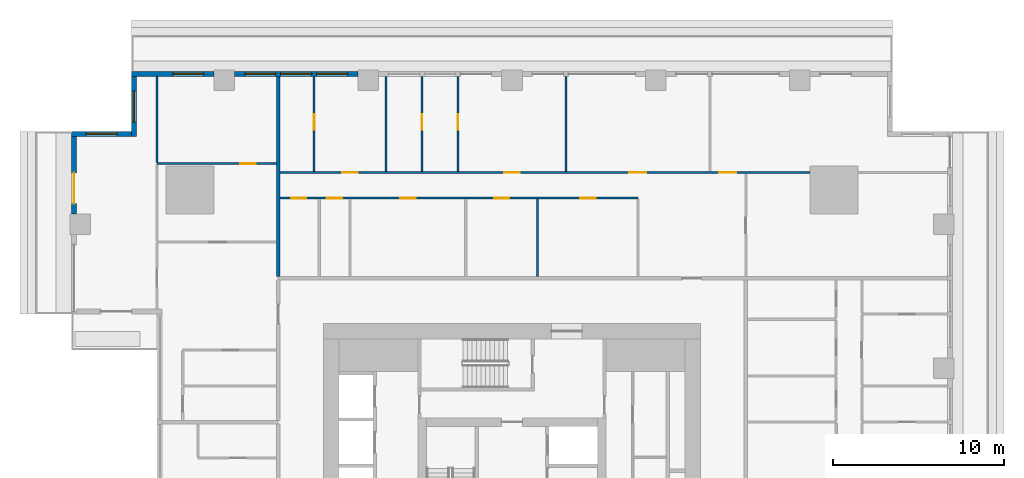
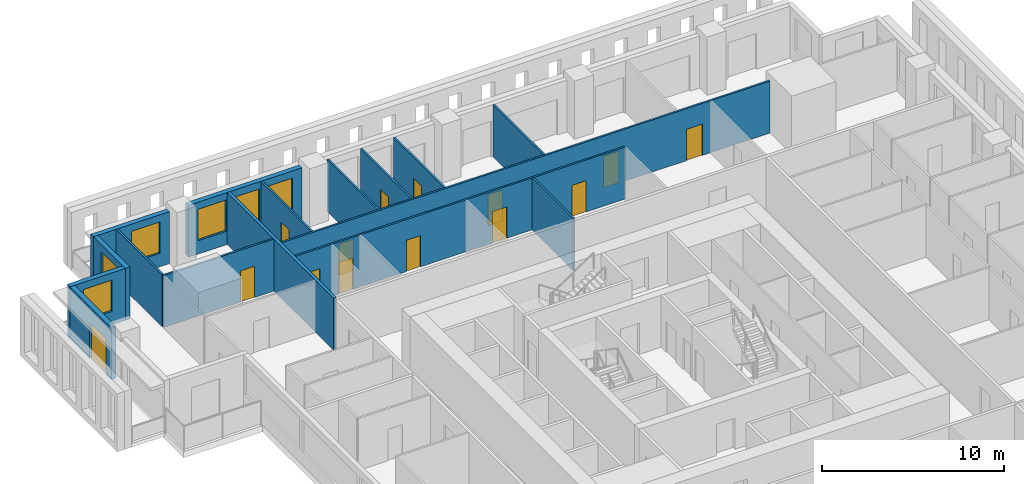
# One storey, part 7 of 14: 16 walls, 14 doors, 6 windows, 20 openings.
"""IFC4 building model written with IfcOpenShell, lengths in metres."""

from ifc_helpers import new_model, si_unit, direction, frame, frame_2d, origin, place, context, subcontext, project, spatial, rectangle, extrude, material, layer, layer_set, type_object, element, fill, save


model = new_model("IFC4")

# Units and contexts
model_context = context("Model", 3, precision=1e-05, world=origin(), true_north=direction((0.0, 1.0)))
body_context = subcontext(model_context, "Body", "Model", "MODEL_VIEW")
ifc_project = project(units=[si_unit("LENGTHUNIT", "METRE"), si_unit("AREAUNIT", "SQUARE_METRE"), si_unit("VOLUMEUNIT", "CUBIC_METRE"), si_unit("PLANEANGLEUNIT", "RADIAN"), si_unit("MASSUNIT", "GRAM", prefix="KILO")], contexts=[model_context])

# Site, building, storey
site_placement = place(None, origin())
site = spatial("IfcSite", under=ifc_project, at=site_placement, CompositionType="ELEMENT")
building_placement = place(site_placement, origin())
building = spatial("IfcBuilding", under=site, at=building_placement, Name="Khepri Terraces", CompositionType="ELEMENT")
storey_placement = place(building_placement, frame((0.0, 0.0, 110.39990234375)))
storey = spatial("IfcBuildingStorey", under=building, at=storey_placement, Name="L26", CompositionType="ELEMENT", Elevation=110.39990234375)

# Wall
ifc_material_1 = material(Name="Fire-rated gypsum plasterboard partition, mineral wool")
ifc_layer_1 = layer(ifc_material_1, 0.199951171875, Name="Fire-rated gypsum plasterboard partition, mineral wool")
ifc_layer_set_1 = layer_set([ifc_layer_1], Name="Fire-rated gypsum plasterboard partition, mineral wool")
wall_type_1 = type_object("IfcWallType", Name="WL-CORR-200", PredefinedType="PARTITIONING", material=ifc_layer_set_1)
wall_1_placement = place(storey_placement, frame((-13.64990234375, 13.75, 0.0), z_axis=(0.0, 0.0, 1.0), x_axis=(0.0, 1.0, 0.0)))
element("IfcWall", 1, at=wall_1_placement, inside=storey, type_object=wall_type_1, Name="Partition P-066 L26", PredefinedType="PARTITIONING", context=body_context, shape_type="SweptSolid", body=[
    extrude(rectangle(XDim=11.669921875, YDim=0.199951171875, at=frame_2d((5.8349609375, 0.0))), origin(), (0.0, 0.0, 1.0), 3.47998046875),
])

# Wall, openings, windows
ifc_material_2 = material(Name="Precast concrete C50/60 warm stone", Category="masonry")
ifc_layer_2 = layer(ifc_material_2, 0.300048828125, Name="Precast concrete C50/60 warm stone", Category="masonry")
ifc_layer_set_2 = layer_set([ifc_layer_2], Name="Precast concrete C50/60 warm stone")
wall_type_2 = type_object("IfcWallType", Name="WL-EXT-PRECAST-300", PredefinedType="STANDARD", material=ifc_layer_set_2)
wall_2_placement = place(storey_placement, frame((-9.0, 25.570068359375, 0.0), z_axis=(0.0, 0.0, 1.0), x_axis=(-1.0, 0.0, 0.0)))
wall_2 = element("IfcWall", 2, at=wall_2_placement, inside=storey, type_object=wall_type_2, Name="External wall L26 N", PredefinedType="STANDARD", context=body_context, shape_type="SweptSolid", body=[
    extrude(rectangle(XDim=7.199951171875, YDim=0.300048828125, at=frame_2d((3.60009765625, 0.0))), origin(), (0.0, 0.0, 1.0), 3.47998046875),
])
opening_1_placement = place(wall_2_placement, frame((0.60009765625, 0.0, 0.89990234375)))
opening_1 = element("IfcOpeningElement", 3, at=opening_1_placement, cuts=wall_2, Name="Opening W1", PredefinedType="OPENING", context=body_context, shape_type="SweptSolid", body=[
    extrude(rectangle(XDim=1.800048828125, YDim=2.10009765625, at=frame_2d((0.89990234375, 1.050048828125))), frame((0.0, 0.16015625, 0.0), z_axis=(0.0, -1.0, 0.0), x_axis=(1.0, 0.0, 0.0)), (0.0, 0.0, 1.0), 0.320068359375),
])
opening_2_placement = place(wall_2_placement, frame((2.699951171875, 0.0, 0.89990234375)))
opening_2 = element("IfcOpeningElement", 4, at=opening_2_placement, cuts=wall_2, Name="Opening W1", PredefinedType="OPENING", context=body_context, shape_type="SweptSolid", body=[
    extrude(rectangle(XDim=1.800048828125, YDim=2.10009765625, at=frame_2d((0.89990234375, 1.050048828125))), frame((0.0, 0.16015625, 0.0), z_axis=(0.0, -1.0, 0.0), x_axis=(1.0, 0.0, 0.0)), (0.0, 0.0, 1.0), 0.320068359375),
])
opening_3_placement = place(wall_2_placement, frame((4.800048828125, 0.0, 0.89990234375)))
opening_3 = element("IfcOpeningElement", 5, at=opening_3_placement, cuts=wall_2, Name="Opening W1", PredefinedType="OPENING", context=body_context, shape_type="SweptSolid", body=[
    extrude(rectangle(XDim=1.800048828125, YDim=2.10009765625, at=frame_2d((0.89990234375, 1.050048828125))), frame((0.0, 0.16015625, 0.0), z_axis=(0.0, -1.0, 0.0), x_axis=(1.0, 0.0, 0.0)), (0.0, 0.0, 1.0), 0.320068359375),
])
ifc_material_3 = material(Name="Clear glass", Category="glass")
window_type = type_object("IfcWindowType", Name="WIN-RES-1800x2100", PartitioningType="SINGLE_PANEL", PredefinedType="WINDOW", material=ifc_material_3)
window_1_placement = place(opening_1_placement, origin())
window_1 = element("IfcWindow", 6, at=window_1_placement, inside=storey, type_object=window_type, Name="Window L26 N", OverallHeight=2.10009765625, OverallWidth=1.800048828125, PartitioningType="SINGLE_PANEL", PredefinedType="WINDOW", context=body_context, shape_type="SweptSolid", body=[
    extrude(rectangle(XDim=1.800048828125, YDim=2.10009765625, at=frame_2d((0.89990234375, 1.050048828125))), frame((0.0, 0.030029296875, 0.0), z_axis=(0.0, -1.0, 0.0), x_axis=(1.0, 0.0, 0.0)), (0.0, 0.0, 1.0), 0.06005859375),
])
fill(opening_1, window_1)
window_2_placement = place(opening_2_placement, origin())
window_2 = element("IfcWindow", 7, at=window_2_placement, inside=storey, type_object=window_type, Name="Window L26 N", OverallHeight=2.10009765625, OverallWidth=1.800048828125, PartitioningType="SINGLE_PANEL", PredefinedType="WINDOW", context=body_context, shape_type="SweptSolid", body=[
    extrude(rectangle(XDim=1.800048828125, YDim=2.10009765625, at=frame_2d((0.89990234375, 1.050048828125))), frame((0.0, 0.030029296875, 0.0), z_axis=(0.0, -1.0, 0.0), x_axis=(1.0, 0.0, 0.0)), (0.0, 0.0, 1.0), 0.06005859375),
])
fill(opening_2, window_2)
window_3_placement = place(opening_3_placement, origin())
window_3 = element("IfcWindow", 8, at=window_3_placement, inside=storey, type_object=window_type, Name="Window L26 N", OverallHeight=2.10009765625, OverallWidth=1.800048828125, PartitioningType="SINGLE_PANEL", PredefinedType="WINDOW", context=body_context, shape_type="SweptSolid", body=[
    extrude(rectangle(XDim=1.800048828125, YDim=2.10009765625, at=frame_2d((0.89990234375, 1.050048828125))), frame((0.0, 0.030029296875, 0.0), z_axis=(0.0, -1.0, 0.0), x_axis=(1.0, 0.0, 0.0)), (0.0, 0.0, 1.0), 0.06005859375),
])
fill(opening_3, window_3)

# Wall, opening, window
wall_3_placement = place(storey_placement, frame((-17.39990234375, 25.570068359375, 0.0), z_axis=(0.0, 0.0, 1.0), x_axis=(-1.0, 0.0, 0.0)))
wall_3 = element("IfcWall", 9, at=wall_3_placement, inside=storey, type_object=wall_type_2, Name="External wall L26 N", PredefinedType="STANDARD", context=body_context, shape_type="SweptSolid", body=[
    extrude(rectangle(XDim=4.820068359375, YDim=0.300048828125, at=frame_2d((2.41015625, 0.0))), origin(), (0.0, 0.0, 1.0), 3.47998046875),
])
opening_4_placement = place(wall_3_placement, frame((0.60009765625, 0.0, 0.89990234375)))
opening_4 = element("IfcOpeningElement", 10, at=opening_4_placement, cuts=wall_3, Name="Opening W1", PredefinedType="OPENING", context=body_context, shape_type="SweptSolid", body=[
    extrude(rectangle(XDim=1.800048828125, YDim=2.10009765625, at=frame_2d((0.89990234375, 1.050048828125))), frame((0.0, 0.16015625, 0.0), z_axis=(0.0, -1.0, 0.0), x_axis=(1.0, 0.0, 0.0)), (0.0, 0.0, 1.0), 0.320068359375),
])
window_4_placement = place(opening_4_placement, origin())
window_4 = element("IfcWindow", 11, at=window_4_placement, inside=storey, type_object=window_type, Name="Window L26 N", OverallHeight=2.10009765625, OverallWidth=1.800048828125, PartitioningType="SINGLE_PANEL", PredefinedType="WINDOW", context=body_context, shape_type="SweptSolid", body=[
    extrude(rectangle(XDim=1.800048828125, YDim=2.10009765625, at=frame_2d((0.89990234375, 1.050048828125))), frame((0.0, 0.030029296875, 0.0), z_axis=(0.0, -1.0, 0.0), x_axis=(1.0, 0.0, 0.0)), (0.0, 0.0, 1.0), 0.06005859375),
])
fill(opening_4, window_4)

wall_4_placement = place(storey_placement, frame((-22.070068359375, 25.419921875, 0.0), z_axis=(0.0, 0.0, 1.0), x_axis=(0.0, -1.0, 0.0)))
wall_4 = element("IfcWall", 12, at=wall_4_placement, inside=storey, type_object=wall_type_2, Name="External wall L26 W", PredefinedType="STANDARD", context=body_context, shape_type="SweptSolid", body=[
    extrude(rectangle(XDim=3.5, YDim=0.300048828125, at=frame_2d((1.75, 0.0))), origin(), (0.0, 0.0, 1.0), 3.47998046875),
])
opening_5_placement = place(wall_4_placement, frame((0.85009765625, 0.0, 0.89990234375)))
opening_5 = element("IfcOpeningElement", 13, at=opening_5_placement, cuts=wall_4, Name="Opening W1", PredefinedType="OPENING", context=body_context, shape_type="SweptSolid", body=[
    extrude(rectangle(XDim=1.800048828125, YDim=2.10009765625, at=frame_2d((0.89990234375, 1.050048828125))), frame((0.0, 0.16015625, 0.0), z_axis=(0.0, -1.0, 0.0), x_axis=(1.0, 0.0, 0.0)), (0.0, 0.0, 1.0), 0.320068359375),
])
window_5_placement = place(opening_5_placement, origin())
window_5 = element("IfcWindow", 14, at=window_5_placement, inside=storey, type_object=window_type, Name="Window L26 W", OverallHeight=2.10009765625, OverallWidth=1.800048828125, PartitioningType="SINGLE_PANEL", PredefinedType="WINDOW", context=body_context, shape_type="SweptSolid", body=[
    extrude(rectangle(XDim=1.800048828125, YDim=2.10009765625, at=frame_2d((0.89990234375, 1.050048828125))), frame((0.0, 0.030029296875, 0.0), z_axis=(0.0, -1.0, 0.0), x_axis=(1.0, 0.0, 0.0)), (0.0, 0.0, 1.0), 0.06005859375),
])
fill(opening_5, window_5)

wall_5_placement = place(storey_placement, frame((-22.219970703125, 22.070068359375, 0.0), z_axis=(0.0, 0.0, 1.0), x_axis=(-1.0, 0.0, 0.0)))
wall_5 = element("IfcWall", 15, at=wall_5_placement, inside=storey, type_object=wall_type_2, Name="External wall L26 N", PredefinedType="STANDARD", context=body_context, shape_type="SweptSolid", body=[
    extrude(rectangle(XDim=3.5, YDim=0.300048828125, at=frame_2d((1.75, 0.0))), origin(), (0.0, 0.0, 1.0), 3.47998046875),
])
opening_6_placement = place(wall_5_placement, frame((0.85009765625, 0.0, 0.89990234375)))
opening_6 = element("IfcOpeningElement", 16, at=opening_6_placement, cuts=wall_5, Name="Opening W1", PredefinedType="OPENING", context=body_context, shape_type="SweptSolid", body=[
    extrude(rectangle(XDim=1.800048828125, YDim=2.10009765625, at=frame_2d((0.89990234375, 1.050048828125))), frame((0.0, 0.16015625, 0.0), z_axis=(0.0, -1.0, 0.0), x_axis=(1.0, 0.0, 0.0)), (0.0, 0.0, 1.0), 0.320068359375),
])
window_6_placement = place(opening_6_placement, origin())
window_6 = element("IfcWindow", 17, at=window_6_placement, inside=storey, type_object=window_type, Name="Window L26 N", OverallHeight=2.10009765625, OverallWidth=1.800048828125, PartitioningType="SINGLE_PANEL", PredefinedType="WINDOW", context=body_context, shape_type="SweptSolid", body=[
    extrude(rectangle(XDim=1.800048828125, YDim=2.10009765625, at=frame_2d((0.89990234375, 1.050048828125))), frame((0.0, 0.030029296875, 0.0), z_axis=(0.0, -1.0, 0.0), x_axis=(1.0, 0.0, 0.0)), (0.0, 0.0, 1.0), 0.06005859375),
])
fill(opening_6, window_6)

# Wall, opening, door
wall_6_placement = place(storey_placement, frame((-25.570068359375, 21.919921875, 0.0), z_axis=(0.0, 0.0, 1.0), x_axis=(0.0, -1.0, 0.0)))
wall_6 = element("IfcWall", 18, at=wall_6_placement, inside=storey, type_object=wall_type_2, Name="External wall L26 W", PredefinedType="STANDARD", context=body_context, shape_type="SweptSolid", body=[
    extrude(rectangle(XDim=4.52001953125, YDim=0.300048828125, at=frame_2d((2.260009765625, 0.0))), origin(), (0.0, 0.0, 1.0), 3.47998046875),
])
opening_7_placement = place(wall_6_placement, frame((2.1201171875, 0.0, 0.0)))
opening_7 = element("IfcOpeningElement", 19, at=opening_7_placement, cuts=wall_6, Name="Opening ED-L26-11", PredefinedType="OPENING", context=body_context, shape_type="SweptSolid", body=[
    extrude(rectangle(XDim=1.800048828125, YDim=2.39990234375, at=frame_2d((0.89990234375, 1.199951171875))), frame((0.0, 0.16015625, 0.0), z_axis=(0.0, -1.0, 0.0), x_axis=(1.0, 0.0, 0.0)), (0.0, 0.0, 1.0), 0.320068359375),
])
ifc_material_4 = material(Name="Anodised aluminium bronze glazed door", Category="aluminium")
door_type_1 = type_object("IfcDoorType", Name="DR-BAL-SLIDE-1800x2400", OperationType="NOTDEFINED", PredefinedType="DOOR", material=ifc_material_4)
door_1_placement = place(opening_7_placement, origin())
door_1 = element("IfcDoor", 20, at=door_1_placement, inside=storey, type_object=door_type_1, Name="Balcony door L26 W", OperationType="SLIDING_TO_RIGHT", OverallHeight=2.39990234375, OverallWidth=1.800048828125, PredefinedType="DOOR", context=body_context, shape_type="SweptSolid", body=[
    extrude(rectangle(XDim=1.800048828125, YDim=2.39990234375, at=frame_2d((0.89990234375, 1.199951171875))), frame((0.0, 0.02490234375, 0.0), z_axis=(0.0, -1.0, 0.0), x_axis=(1.0, 0.0, 0.0)), (0.0, 0.0, 1.0), 0.050048828125),
])
fill(opening_7, door_1)

# Wall
ifc_material_5 = material(Name="Gypsum plasterboard partition")
ifc_layer_3 = layer(ifc_material_5, 0.1201171875, Name="Gypsum plasterboard partition")
ifc_layer_set_3 = layer_set([ifc_layer_3], Name="Gypsum plasterboard partition")
wall_type_3 = type_object("IfcWallType", Name="WL-PART-120", PredefinedType="PARTITIONING", material=ifc_layer_set_3)
wall_7_placement = place(storey_placement, frame((1.5, 13.75, 0.0), z_axis=(0.0, 0.0, 1.0), x_axis=(0.0, 1.0, 0.0)))
element("IfcWall", 21, at=wall_7_placement, inside=storey, type_object=wall_type_3, Name="Partition P-070 L26", PredefinedType="PARTITIONING", context=body_context, shape_type="SweptSolid", body=[
    extrude(rectangle(XDim=4.510009765625, YDim=0.1201171875, at=frame_2d((2.2548828125, 0.0))), origin(), (0.0, 0.0, 1.0), 3.47998046875),
])

# Wall, openings, doors
wall_8_placement = place(storey_placement, frame((-13.550048828125, 18.320068359375, 0.0), z_axis=(0.0, 0.0, 1.0), x_axis=(1.0, 0.0, 0.0)))
wall_8 = element("IfcWall", 22, at=wall_8_placement, inside=storey, type_object=wall_type_3, Name="Partition P-075 L26", PredefinedType="PARTITIONING", context=body_context, shape_type="SweptSolid", body=[
    extrude(rectangle(XDim=20.900146484375, YDim=0.1201171875, at=frame_2d((10.4501953125, 0.0))), origin(), (0.0, 0.0, 1.0), 3.47998046875),
])
opening_8_placement = place(wall_8_placement, frame((17.52490234375, 0.0, 0.0)))
opening_8 = element("IfcOpeningElement", 23, at=opening_8_placement, cuts=wall_8, Name="Opening D3", PredefinedType="OPENING", context=body_context, shape_type="SweptSolid", body=[
    extrude(rectangle(XDim=0.89990234375, YDim=2.10009765625, at=frame_2d((0.449951171875, 1.050048828125))), frame((0.0, 0.070068359375, 0.0), z_axis=(0.0, -1.0, 0.0), x_axis=(1.0, 0.0, 0.0)), (0.0, 0.0, 1.0), 0.14013671875),
])
opening_9_placement = place(wall_8_placement, frame((12.5, 0.0, 0.0)))
opening_9 = element("IfcOpeningElement", 24, at=opening_9_placement, cuts=wall_8, Name="Opening D3", PredefinedType="OPENING", context=body_context, shape_type="SweptSolid", body=[
    extrude(rectangle(XDim=0.89990234375, YDim=2.10009765625, at=frame_2d((0.449951171875, 1.050048828125))), frame((0.0, 0.070068359375, 0.0), z_axis=(0.0, -1.0, 0.0), x_axis=(1.0, 0.0, 0.0)), (0.0, 0.0, 1.0), 0.14013671875),
])
opening_10_placement = place(wall_8_placement, frame((7.02490234375, 0.0, 0.0)))
opening_10 = element("IfcOpeningElement", 25, at=opening_10_placement, cuts=wall_8, Name="Opening D3", PredefinedType="OPENING", context=body_context, shape_type="SweptSolid", body=[
    extrude(rectangle(XDim=0.89990234375, YDim=2.10009765625, at=frame_2d((0.449951171875, 1.050048828125))), frame((0.0, 0.070068359375, 0.0), z_axis=(0.0, -1.0, 0.0), x_axis=(1.0, 0.0, 0.0)), (0.0, 0.0, 1.0), 0.14013671875),
])
opening_11_placement = place(wall_8_placement, frame((2.75, 0.0, 0.0)))
opening_11 = element("IfcOpeningElement", 26, at=opening_11_placement, cuts=wall_8, Name="Opening D4", PredefinedType="OPENING", context=body_context, shape_type="SweptSolid", body=[
    extrude(rectangle(XDim=0.89990234375, YDim=2.10009765625, at=frame_2d((0.449951171875, 1.050048828125))), frame((0.0, 0.070068359375, 0.0), z_axis=(0.0, -1.0, 0.0), x_axis=(1.0, 0.0, 0.0)), (0.0, 0.0, 1.0), 0.14013671875),
])
opening_12_placement = place(wall_8_placement, frame((0.64990234375, 0.0, 0.0)))
opening_12 = element("IfcOpeningElement", 27, at=opening_12_placement, cuts=wall_8, Name="Opening D4", PredefinedType="OPENING", context=body_context, shape_type="SweptSolid", body=[
    extrude(rectangle(XDim=0.89990234375, YDim=2.10009765625, at=frame_2d((0.449951171875, 1.050048828125))), frame((0.0, 0.070068359375, 0.0), z_axis=(0.0, -1.0, 0.0), x_axis=(1.0, 0.0, 0.0)), (0.0, 0.0, 1.0), 0.14013671875),
])
ifc_material_6 = material(Name="Timber door leaf", Category="wood")
door_type_2 = type_object("IfcDoorType", Name="DR-INT-900", OperationType="NOTDEFINED", PredefinedType="DOOR", material=ifc_material_6)
door_2_placement = place(opening_8_placement, frame((0.89990234375, 0.0, 0.0), z_axis=(0.0, 0.0, 1.0), x_axis=(-1.0, 0.0, 0.0)))
door_2 = element("IfcDoor", 28, at=door_2_placement, inside=storey, type_object=door_type_2, Name="Door Kitchen", OperationType="SINGLE_SWING_LEFT", OverallHeight=2.10009765625, OverallWidth=0.89990234375, PredefinedType="DOOR", context=body_context, shape_type="SweptSolid", body=[
    extrude(rectangle(XDim=0.89990234375, YDim=2.10009765625, at=frame_2d((0.449951171875, 1.050048828125))), frame((0.0, 0.02490234375, 0.0), z_axis=(0.0, -1.0, 0.0), x_axis=(1.0, 0.0, 0.0)), (0.0, 0.0, 1.0), 0.050048828125),
])
fill(opening_8, door_2)
door_3_placement = place(opening_9_placement, frame((0.89990234375, 0.0, 0.0), z_axis=(0.0, 0.0, 1.0), x_axis=(-1.0, 0.0, 0.0)))
door_3 = element("IfcDoor", 29, at=door_3_placement, inside=storey, type_object=door_type_2, Name="Door Service Kitchen", OperationType="SINGLE_SWING_LEFT", OverallHeight=2.10009765625, OverallWidth=0.89990234375, PredefinedType="DOOR", context=body_context, shape_type="SweptSolid", body=[
    extrude(rectangle(XDim=0.89990234375, YDim=2.10009765625, at=frame_2d((0.449951171875, 1.050048828125))), frame((0.0, 0.02490234375, 0.0), z_axis=(0.0, -1.0, 0.0), x_axis=(1.0, 0.0, 0.0)), (0.0, 0.0, 1.0), 0.050048828125),
])
fill(opening_9, door_3)
door_4_placement = place(opening_10_placement, frame((0.89990234375, 0.0, 0.0), z_axis=(0.0, 0.0, 1.0), x_axis=(-1.0, 0.0, 0.0)))
door_4 = element("IfcDoor", 30, at=door_4_placement, inside=storey, type_object=door_type_2, Name="Door Staff Bedroom", OperationType="SINGLE_SWING_RIGHT", OverallHeight=2.10009765625, OverallWidth=0.89990234375, PredefinedType="DOOR", context=body_context, shape_type="SweptSolid", body=[
    extrude(rectangle(XDim=0.89990234375, YDim=2.10009765625, at=frame_2d((0.449951171875, 1.050048828125))), frame((0.0, 0.02490234375, 0.0), z_axis=(0.0, -1.0, 0.0), x_axis=(1.0, 0.0, 0.0)), (0.0, 0.0, 1.0), 0.050048828125),
])
fill(opening_10, door_4)
ifc_material_7 = material(Name="Timber door leaf, moisture resistant", Category="wood")
door_type_3 = type_object("IfcDoorType", Name="DR-WET-900", OperationType="NOTDEFINED", PredefinedType="DOOR", material=ifc_material_7)
door_5_placement = place(opening_11_placement, frame((0.89990234375, 0.0, 0.0), z_axis=(0.0, 0.0, 1.0), x_axis=(-1.0, 0.0, 0.0)))
door_5 = element("IfcDoor", 31, at=door_5_placement, inside=storey, type_object=door_type_3, Name="Door Powder Room", OperationType="SINGLE_SWING_RIGHT", OverallHeight=2.10009765625, OverallWidth=0.89990234375, PredefinedType="DOOR", context=body_context, shape_type="SweptSolid", body=[
    extrude(rectangle(XDim=0.89990234375, YDim=2.10009765625, at=frame_2d((0.449951171875, 1.050048828125))), frame((0.0, 0.02490234375, 0.0), z_axis=(0.0, -1.0, 0.0), x_axis=(1.0, 0.0, 0.0)), (0.0, 0.0, 1.0), 0.050048828125),
])
fill(opening_11, door_5)
door_6_placement = place(opening_12_placement, frame((0.89990234375, 0.0, 0.0), z_axis=(0.0, 0.0, 1.0), x_axis=(-1.0, 0.0, 0.0)))
door_6 = element("IfcDoor", 32, at=door_6_placement, inside=storey, type_object=door_type_3, Name="Door Guest Bathroom", OperationType="SINGLE_SWING_RIGHT", OverallHeight=2.10009765625, OverallWidth=0.89990234375, PredefinedType="DOOR", context=body_context, shape_type="SweptSolid", body=[
    extrude(rectangle(XDim=0.89990234375, YDim=2.10009765625, at=frame_2d((0.449951171875, 1.050048828125))), frame((0.0, 0.02490234375, 0.0), z_axis=(0.0, -1.0, 0.0), x_axis=(1.0, 0.0, 0.0)), (0.0, 0.0, 1.0), 0.050048828125),
])
fill(opening_12, door_6)

wall_9_placement = place(storey_placement, frame((-13.550048828125, 19.820068359375, 0.0), z_axis=(0.0, 0.0, 1.0), x_axis=(1.0, 0.0, 0.0)))
wall_9 = element("IfcWall", 33, at=wall_9_placement, inside=storey, type_object=wall_type_3, Name="Partition P-076 L26", PredefinedType="PARTITIONING", context=body_context, shape_type="SweptSolid", body=[
    extrude(rectangle(XDim=30.949951171875, YDim=0.1201171875, at=frame_2d((15.47509765625, 0.0))), origin(), (0.0, 0.0, 1.0), 3.47998046875),
])
opening_13_placement = place(wall_9_placement, frame((25.64990234375, 0.0, 0.0)))
opening_13 = element("IfcOpeningElement", 34, at=opening_13_placement, cuts=wall_9, Name="Opening D2", PredefinedType="OPENING", context=body_context, shape_type="SweptSolid", body=[
    extrude(rectangle(XDim=1.0, YDim=2.10009765625, at=frame_2d((0.5, 1.050048828125))), frame((0.0, 0.070068359375, 0.0), z_axis=(0.0, -1.0, 0.0), x_axis=(1.0, 0.0, 0.0)), (0.0, 0.0, 1.0), 0.14013671875),
])
opening_14_placement = place(wall_9_placement, frame((20.39990234375, 0.0, 0.0)))
opening_14 = element("IfcOpeningElement", 35, at=opening_14_placement, cuts=wall_9, Name="Opening D2", PredefinedType="OPENING", context=body_context, shape_type="SweptSolid", body=[
    extrude(rectangle(XDim=1.0, YDim=2.10009765625, at=frame_2d((0.5, 1.050048828125))), frame((0.0, 0.070068359375, 0.0), z_axis=(0.0, -1.0, 0.0), x_axis=(1.0, 0.0, 0.0)), (0.0, 0.0, 1.0), 0.14013671875),
])
opening_15_placement = place(wall_9_placement, frame((13.10009765625, 0.0, 0.0)))
opening_15 = element("IfcOpeningElement", 36, at=opening_15_placement, cuts=wall_9, Name="Opening D3", PredefinedType="OPENING", context=body_context, shape_type="SweptSolid", body=[
    extrude(rectangle(XDim=0.89990234375, YDim=2.10009765625, at=frame_2d((0.449951171875, 1.050048828125))), frame((0.0, 0.070068359375, 0.0), z_axis=(0.0, -1.0, 0.0), x_axis=(1.0, 0.0, 0.0)), (0.0, 0.0, 1.0), 0.14013671875),
])
opening_16_placement = place(wall_9_placement, frame((3.64990234375, 0.0, 0.0)))
opening_16 = element("IfcOpeningElement", 37, at=opening_16_placement, cuts=wall_9, Name="Opening D3", PredefinedType="OPENING", context=body_context, shape_type="SweptSolid", body=[
    extrude(rectangle(XDim=0.89990234375, YDim=2.10009765625, at=frame_2d((0.449951171875, 1.050048828125))), frame((0.0, 0.070068359375, 0.0), z_axis=(0.0, -1.0, 0.0), x_axis=(1.0, 0.0, 0.0)), (0.0, 0.0, 1.0), 0.14013671875),
])
ifc_material_8 = material(Name="Timber door leaf, living room door", Category="wood")
door_type_4 = type_object("IfcDoorType", Name="DR-INT-1000", OperationType="NOTDEFINED", PredefinedType="DOOR", material=ifc_material_8)
door_7_placement = place(opening_13_placement, origin())
door_7 = element("IfcDoor", 38, at=door_7_placement, inside=storey, type_object=door_type_4, Name="Door Living Room", OperationType="SINGLE_SWING_RIGHT", OverallHeight=2.10009765625, OverallWidth=1.0, PredefinedType="DOOR", context=body_context, shape_type="SweptSolid", body=[
    extrude(rectangle(XDim=1.0, YDim=2.10009765625, at=frame_2d((0.5, 1.050048828125))), frame((0.0, 0.02490234375, 0.0), z_axis=(0.0, -1.0, 0.0), x_axis=(1.0, 0.0, 0.0)), (0.0, 0.0, 1.0), 0.050048828125),
])
fill(opening_13, door_7)
door_8_placement = place(opening_14_placement, origin())
door_8 = element("IfcDoor", 39, at=door_8_placement, inside=storey, type_object=door_type_4, Name="Door Family Room", OperationType="SINGLE_SWING_RIGHT", OverallHeight=2.10009765625, OverallWidth=1.0, PredefinedType="DOOR", context=body_context, shape_type="SweptSolid", body=[
    extrude(rectangle(XDim=1.0, YDim=2.10009765625, at=frame_2d((0.5, 1.050048828125))), frame((0.0, 0.02490234375, 0.0), z_axis=(0.0, -1.0, 0.0), x_axis=(1.0, 0.0, 0.0)), (0.0, 0.0, 1.0), 0.050048828125),
])
fill(opening_14, door_8)
door_9_placement = place(opening_15_placement, origin())
door_9 = element("IfcDoor", 40, at=door_9_placement, inside=storey, type_object=door_type_2, Name="Door Master Bedroom", OperationType="SINGLE_SWING_LEFT", OverallHeight=2.10009765625, OverallWidth=0.89990234375, PredefinedType="DOOR", context=body_context, shape_type="SweptSolid", body=[
    extrude(rectangle(XDim=0.89990234375, YDim=2.10009765625, at=frame_2d((0.449951171875, 1.050048828125))), frame((0.0, 0.02490234375, 0.0), z_axis=(0.0, -1.0, 0.0), x_axis=(1.0, 0.0, 0.0)), (0.0, 0.0, 1.0), 0.050048828125),
])
fill(opening_15, door_9)
door_10_placement = place(opening_16_placement, origin())
door_10 = element("IfcDoor", 41, at=door_10_placement, inside=storey, type_object=door_type_2, Name="Door Bedroom", OperationType="SINGLE_SWING_LEFT", OverallHeight=2.10009765625, OverallWidth=0.89990234375, PredefinedType="DOOR", context=body_context, shape_type="SweptSolid", body=[
    extrude(rectangle(XDim=0.89990234375, YDim=2.10009765625, at=frame_2d((0.449951171875, 1.050048828125))), frame((0.0, 0.02490234375, 0.0), z_axis=(0.0, -1.0, 0.0), x_axis=(1.0, 0.0, 0.0)), (0.0, 0.0, 1.0), 0.050048828125),
])
fill(opening_16, door_10)

# Wall, opening, door
wall_10_placement = place(storey_placement, frame((-11.550048828125, 19.8798828125, 0.0), z_axis=(0.0, 0.0, 1.0), x_axis=(0.0, 1.0, 0.0)))
wall_10 = element("IfcWall", 42, at=wall_10_placement, inside=storey, type_object=wall_type_3, Name="Partition P-078 L26", PredefinedType="PARTITIONING", context=body_context, shape_type="SweptSolid", body=[
    extrude(rectangle(XDim=5.5400390625, YDim=0.1201171875, at=frame_2d((2.77001953125, 0.0))), origin(), (0.0, 0.0, 1.0), 3.47998046875),
])
opening_17_placement = place(wall_10_placement, frame((2.43994140625, 0.0, 0.0)))
opening_17 = element("IfcOpeningElement", 43, at=opening_17_placement, cuts=wall_10, Name="Opening D4", PredefinedType="OPENING", context=body_context, shape_type="SweptSolid", body=[
    extrude(rectangle(XDim=0.89990234375, YDim=2.10009765625, at=frame_2d((0.449951171875, 1.050048828125))), frame((0.0, 0.070068359375, 0.0), z_axis=(0.0, -1.0, 0.0), x_axis=(1.0, 0.0, 0.0)), (0.0, 0.0, 1.0), 0.14013671875),
])
door_11_placement = place(opening_17_placement, origin())
door_11 = element("IfcDoor", 44, at=door_11_placement, inside=storey, type_object=door_type_3, Name="Door Bathroom", OperationType="SINGLE_SWING_RIGHT", OverallHeight=2.10009765625, OverallWidth=0.89990234375, PredefinedType="DOOR", context=body_context, shape_type="SweptSolid", body=[
    extrude(rectangle(XDim=0.89990234375, YDim=2.10009765625, at=frame_2d((0.449951171875, 1.050048828125))), frame((0.0, 0.02490234375, 0.0), z_axis=(0.0, -1.0, 0.0), x_axis=(1.0, 0.0, 0.0)), (0.0, 0.0, 1.0), 0.050048828125),
])
fill(opening_17, door_11)

# Wall
wall_11_placement = place(storey_placement, frame((-7.35009765625, 19.8798828125, 0.0), z_axis=(0.0, 0.0, 1.0), x_axis=(0.0, 1.0, 0.0)))
element("IfcWall", 45, at=wall_11_placement, inside=storey, type_object=wall_type_3, Name="Partition P-079 L26", PredefinedType="PARTITIONING", context=body_context, shape_type="SweptSolid", body=[
    extrude(rectangle(XDim=5.5400390625, YDim=0.1201171875, at=frame_2d((2.77001953125, 0.0))), origin(), (0.0, 0.0, 1.0), 3.47998046875),
])

# Wall, opening, door
wall_12_placement = place(storey_placement, frame((-5.25, 19.8798828125, 0.0), z_axis=(0.0, 0.0, 1.0), x_axis=(0.0, 1.0, 0.0)))
wall_12 = element("IfcWall", 46, at=wall_12_placement, inside=storey, type_object=wall_type_3, Name="Partition P-080 L26", PredefinedType="PARTITIONING", context=body_context, shape_type="SweptSolid", body=[
    extrude(rectangle(XDim=5.5400390625, YDim=0.1201171875, at=frame_2d((2.77001953125, 0.0))), origin(), (0.0, 0.0, 1.0), 3.47998046875),
])
opening_18_placement = place(wall_12_placement, frame((2.43994140625, 0.0, 0.0)))
opening_18 = element("IfcOpeningElement", 47, at=opening_18_placement, cuts=wall_12, Name="Opening D4", PredefinedType="OPENING", context=body_context, shape_type="SweptSolid", body=[
    extrude(rectangle(XDim=0.89990234375, YDim=2.10009765625, at=frame_2d((0.449951171875, 1.050048828125))), frame((0.0, 0.070068359375, 0.0), z_axis=(0.0, -1.0, 0.0), x_axis=(1.0, 0.0, 0.0)), (0.0, 0.0, 1.0), 0.14013671875),
])
door_12_placement = place(opening_18_placement, origin())
door_12 = element("IfcDoor", 48, at=door_12_placement, inside=storey, type_object=door_type_3, Name="Door Bathroom", OperationType="SINGLE_SWING_RIGHT", OverallHeight=2.10009765625, OverallWidth=0.89990234375, PredefinedType="DOOR", context=body_context, shape_type="SweptSolid", body=[
    extrude(rectangle(XDim=0.89990234375, YDim=2.10009765625, at=frame_2d((0.449951171875, 1.050048828125))), frame((0.0, 0.02490234375, 0.0), z_axis=(0.0, -1.0, 0.0), x_axis=(1.0, 0.0, 0.0)), (0.0, 0.0, 1.0), 0.050048828125),
])
fill(opening_18, door_12)

wall_13_placement = place(storey_placement, frame((-3.14990234375, 19.8798828125, 0.0), z_axis=(0.0, 0.0, 1.0), x_axis=(0.0, 1.0, 0.0)))
wall_13 = element("IfcWall", 49, at=wall_13_placement, inside=storey, type_object=wall_type_3, Name="Partition P-081 L26", PredefinedType="PARTITIONING", context=body_context, shape_type="SweptSolid", body=[
    extrude(rectangle(XDim=5.5400390625, YDim=0.1201171875, at=frame_2d((2.77001953125, 0.0))), origin(), (0.0, 0.0, 1.0), 3.47998046875),
])
opening_19_placement = place(wall_13_placement, frame((2.43994140625, 0.0, 0.0)))
opening_19 = element("IfcOpeningElement", 50, at=opening_19_placement, cuts=wall_13, Name="Opening D3", PredefinedType="OPENING", context=body_context, shape_type="SweptSolid", body=[
    extrude(rectangle(XDim=0.89990234375, YDim=2.10009765625, at=frame_2d((0.449951171875, 1.050048828125))), frame((0.0, 0.070068359375, 0.0), z_axis=(0.0, -1.0, 0.0), x_axis=(1.0, 0.0, 0.0)), (0.0, 0.0, 1.0), 0.14013671875),
])
door_13_placement = place(opening_19_placement, origin())
door_13 = element("IfcDoor", 51, at=door_13_placement, inside=storey, type_object=door_type_2, Name="Door Dressing Room", OperationType="SINGLE_SWING_RIGHT", OverallHeight=2.10009765625, OverallWidth=0.89990234375, PredefinedType="DOOR", context=body_context, shape_type="SweptSolid", body=[
    extrude(rectangle(XDim=0.89990234375, YDim=2.10009765625, at=frame_2d((0.449951171875, 1.050048828125))), frame((0.0, 0.02490234375, 0.0), z_axis=(0.0, -1.0, 0.0), x_axis=(1.0, 0.0, 0.0)), (0.0, 0.0, 1.0), 0.050048828125),
])
fill(opening_19, door_13)

# Wall
wall_14_placement = place(storey_placement, frame((3.14990234375, 19.8798828125, 0.0), z_axis=(0.0, 0.0, 1.0), x_axis=(0.0, 1.0, 0.0)))
element("IfcWall", 52, at=wall_14_placement, inside=storey, type_object=wall_type_3, Name="Partition P-082 L26", PredefinedType="PARTITIONING", context=body_context, shape_type="SweptSolid", body=[
    extrude(rectangle(XDim=5.5400390625, YDim=0.1201171875, at=frame_2d((2.77001953125, 0.0))), origin(), (0.0, 0.0, 1.0), 3.47998046875),
])

# Wall, opening, door
wall_15_placement = place(storey_placement, frame((-20.719970703125, 20.333984375, 0.0), z_axis=(0.0, 0.0, 1.0), x_axis=(1.0, 0.0, 0.0)))
wall_15 = element("IfcWall", 53, at=wall_15_placement, inside=storey, type_object=wall_type_3, Name="Partition P-084 L26", PredefinedType="PARTITIONING", context=body_context, shape_type="SweptSolid", body=[
    extrude(rectangle(XDim=6.969970703125, YDim=0.1201171875, at=frame_2d((3.48486328125, 0.0))), origin(), (0.0, 0.0, 1.0), 3.47998046875),
])
opening_20_placement = place(wall_15_placement, frame((4.8525390625, 0.0, 0.0)))
opening_20 = element("IfcOpeningElement", 54, at=opening_20_placement, cuts=wall_15, Name="Opening D3", PredefinedType="OPENING", context=body_context, shape_type="SweptSolid", body=[
    extrude(rectangle(XDim=0.89990234375, YDim=2.10009765625, at=frame_2d((0.449951171875, 1.050048828125))), frame((0.0, 0.070068359375, 0.0), z_axis=(0.0, -1.0, 0.0), x_axis=(1.0, 0.0, 0.0)), (0.0, 0.0, 1.0), 0.14013671875),
])
door_14_placement = place(opening_20_placement, origin())
door_14 = element("IfcDoor", 55, at=door_14_placement, inside=storey, type_object=door_type_2, Name="Door Staff Bedroom", OperationType="SINGLE_SWING_RIGHT", OverallHeight=2.10009765625, OverallWidth=0.89990234375, PredefinedType="DOOR", context=body_context, shape_type="SweptSolid", body=[
    extrude(rectangle(XDim=0.89990234375, YDim=2.10009765625, at=frame_2d((0.449951171875, 1.050048828125))), frame((0.0, 0.02490234375, 0.0), z_axis=(0.0, -1.0, 0.0), x_axis=(1.0, 0.0, 0.0)), (0.0, 0.0, 1.0), 0.050048828125),
])
fill(opening_20, door_14)

# Wall
wall_16_placement = place(storey_placement, frame((-20.719970703125, 20.39404296875, 0.0), z_axis=(0.0, 0.0, 1.0), x_axis=(0.0, 1.0, 0.0)))
element("IfcWall", 56, at=wall_16_placement, inside=storey, type_object=wall_type_3, Name="Partition P-085 L26", PredefinedType="PARTITIONING", context=body_context, shape_type="SweptSolid", body=[
    extrude(rectangle(XDim=5.02587890625, YDim=0.1201171875, at=frame_2d((2.512939453125, 0.0))), origin(), (0.0, 0.0, 1.0), 3.47998046875),
])

save(model, "model.ifc")
